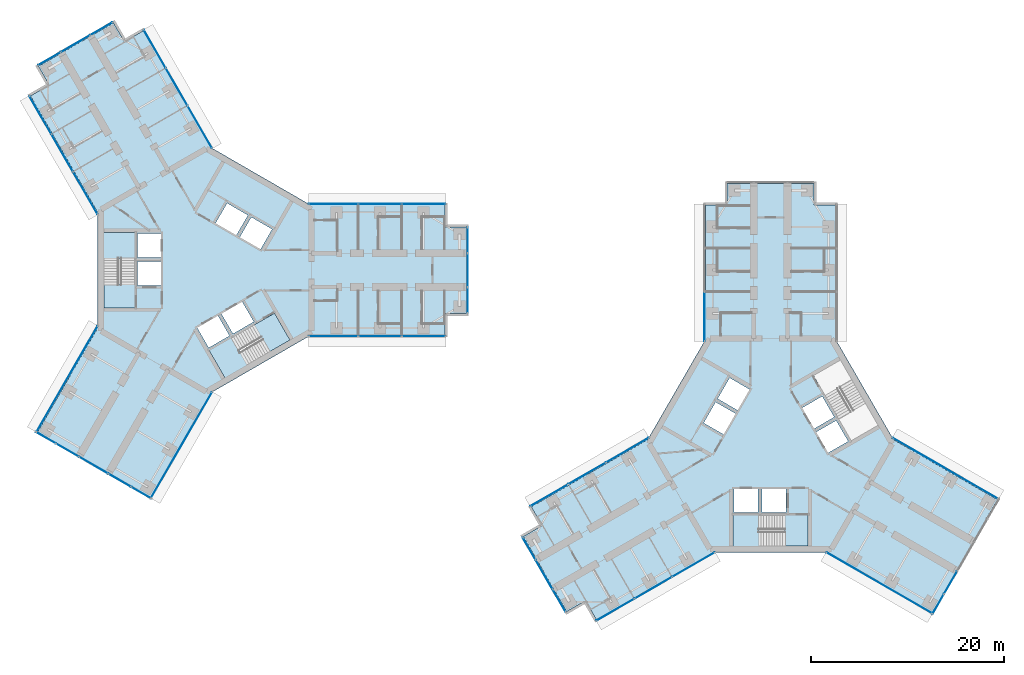
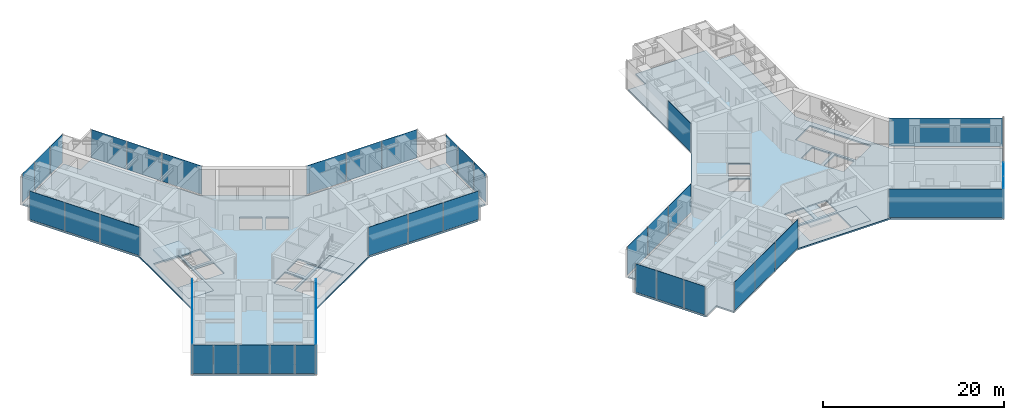
# One storey, part 13 of 23: 39 plates, 8 slabs, 19 elements without a shape of their own.
"""IFC4 building model written with IfcOpenShell, lengths in metres."""

import ifcopenshell
import ifcopenshell.guid

model = None  # the IFC model being written
_history = None  # IfcOwnerHistory: only IFC2X3 demands one
_inside = {}  # id of a spatial element -> (the spatial element, [elements in it])
_under = {}  # id of a project, library or spatial element -> (it, [spatial elements below it])
_declared = {}  # id of a project -> (the project, [libraries it declares])
_typed = {}  # id of a type object -> (the type object, [elements of that type])
_made_of = {}  # id of a material, layer set ... -> (it, [elements and type objects made of it])


def new_model(schema):
    """Start an empty IFC model of exactly this schema.

    Asked for "IFC4X3", IfcOpenShell would pick the latest addendum, in which some entities
    have other attributes; the version numbers below select the first issue.
    IFC2X3 requires an IfcOwnerHistory on every rooted entity: one is made here for all.
    """
    global model, _history
    if schema == "IFC4X3":
        model = ifcopenshell.file(schema_version=(4, 3, 0, 0))
    else:
        model = ifcopenshell.file(schema=schema)
    _inside.clear()
    _under.clear()
    _declared.clear()
    _typed.clear()
    _made_of.clear()
    _history = None
    if model.schema == "IFC2X3":
        org = make("IfcOrganization", Name="unknown")
        user = make(
            "IfcPersonAndOrganization",
            ThePerson=make("IfcPerson", FamilyName="unknown"),
            TheOrganization=org,
        )
        app = make(
            "IfcApplication",
            ApplicationDeveloper=org,
            Version="unknown",
            ApplicationFullName="unknown",
            ApplicationIdentifier="unknown",
        )
        _history = make(
            "IfcOwnerHistory",
            OwningUser=user,
            OwningApplication=app,
            ChangeAction="ADDED",
            CreationDate=0,
        )
    return model


def make(cls, **values):
    """One entity of the class cls with the attributes given. An attribute that is None is left unset."""
    return model.create_entity(
        cls, **{name: value for name, value in values.items() if value is not None}
    )


def rooted(cls, **values):
    """An entity with a GlobalId (a new one), such as an element, a storey or a relation."""
    return make(cls, GlobalId=ifcopenshell.guid.new(), OwnerHistory=_history, **values)


def si_unit(unit_type, name, prefix=None):
    """IfcSIUnit, for example si_unit("LENGTHUNIT", "METRE", prefix="MILLI")."""
    return make("IfcSIUnit", UnitType=unit_type, Prefix=prefix, Name=name)


def assignment(units):
    """IfcUnitAssignment: the units of a project."""
    return None if units is None else make("IfcUnitAssignment", Units=units)


def point(xyz):
    """IfcCartesianPoint."""
    return None if xyz is None else make("IfcCartesianPoint", Coordinates=xyz)


def direction(xyz):
    """IfcDirection."""
    return None if xyz is None else make("IfcDirection", DirectionRatios=xyz)


def frame(location, z_axis=None, x_axis=None):
    """IfcAxis2Placement3D, a coordinate frame: its origin and axes. An axis left out is left unset."""
    return make(
        "IfcAxis2Placement3D",
        Location=point(location),
        Axis=direction(z_axis),
        RefDirection=direction(x_axis),
    )


def frame_2d(location, x_axis=None):
    """IfcAxis2Placement2D, a coordinate frame in the plane: its origin and x axis."""
    return make(
        "IfcAxis2Placement2D", Location=point(location), RefDirection=direction(x_axis)
    )


def origin():
    """The frame at (0, 0, 0) with its axes left unset."""
    return frame((0.0, 0.0, 0.0))


def origin_2d():
    """The frame at (0, 0) in the plane with its x axis left unset."""
    return frame_2d((0.0, 0.0))


def place(relative_to, where):
    """IfcLocalPlacement: puts the frame where relative to a parent placement (None: the world)."""
    return make(
        "IfcLocalPlacement", PlacementRelTo=relative_to, RelativePlacement=where
    )


def context(
    kind, dimensions, precision=None, world=None, true_north=None, identifier=None
):
    """IfcGeometricRepresentationContext, for example the 3D "Model" context."""
    return make(
        "IfcGeometricRepresentationContext",
        ContextIdentifier=identifier,
        ContextType=kind,
        CoordinateSpaceDimension=dimensions,
        Precision=precision,
        WorldCoordinateSystem=world,
        TrueNorth=true_north,
    )


def subcontext(parent, identifier, kind, view, scale=None):
    """IfcGeometricRepresentationSubContext, for example "Body" below "Model"."""
    return make(
        "IfcGeometricRepresentationSubContext",
        ContextIdentifier=identifier,
        ContextType=kind,
        ParentContext=parent,
        TargetScale=scale,
        TargetView=view,
    )


def project(units=None, contexts=None):
    """IfcProject with its units and contexts."""
    return rooted(
        "IfcProject",
        Name="project",
        RepresentationContexts=contexts,
        UnitsInContext=assignment(units),
    )


def spatial(cls, under=None, at=None, **own):
    """A site, building, storey or space (cls), placed at a placement, below another one or the project."""
    s = rooted(cls, ObjectPlacement=at, **own)
    if under is not None:
        _under.setdefault(under.id(), (under, []))[1].append(s)
    return s


def polyline(points):
    """IfcPolyline through the points."""
    return make("IfcPolyline", Points=[point(p) for p in points])


def profile(cls, at=None, kind="AREA", **sizes):
    """A parametric profile (cls). Its sizes go by their IFC names, for example OverallWidth=200.0."""
    return make(cls, ProfileType=kind, Position=at, **sizes)


def rectangle(**sizes):
    """IfcRectangleProfileDef."""
    return profile("IfcRectangleProfileDef", **sizes)


def outline(outer, holes=None, kind="AREA"):
    """IfcArbitraryClosedProfileDef: a profile drawn as a closed curve; with holes, ...WithVoids."""
    if holes is None:
        return make("IfcArbitraryClosedProfileDef", ProfileType=kind, OuterCurve=outer)
    return make(
        "IfcArbitraryProfileDefWithVoids",
        ProfileType=kind,
        OuterCurve=outer,
        InnerCurves=holes,
    )


def extrude(swept, where, along, depth):
    """IfcExtrudedAreaSolid: the profile swept, set in the frame where, extruded along a direction by depth."""
    return make(
        "IfcExtrudedAreaSolid",
        SweptArea=swept,
        Position=where,
        ExtrudedDirection=direction(along),
        Depth=depth,
    )


def shape(context_of_items, identifier, shape_type, items):
    """IfcShapeRepresentation: the items that make up one representation, for example the "Body"."""
    return make(
        "IfcShapeRepresentation",
        ContextOfItems=context_of_items,
        RepresentationIdentifier=identifier,
        RepresentationType=shape_type,
        Items=items,
    )


def material(Name=None, Category=None):
    """IfcMaterial."""
    return make("IfcMaterial", Name=Name, Category=Category)


def layer(
    of_material, thickness, ventilated=None, Name=None, Category=None, Priority=None
):
    """IfcMaterialLayer: one layer of a wall or slab, of a material (None: an air gap)."""
    return make(
        "IfcMaterialLayer",
        Material=of_material,
        LayerThickness=thickness,
        IsVentilated=ventilated,
        Name=Name,
        Category=Category,
        Priority=Priority,
    )


def layer_set(layers, Name=None):
    """IfcMaterialLayerSet."""
    return make("IfcMaterialLayerSet", MaterialLayers=layers, LayerSetName=Name)


def made_of(thing, what):
    """Note that an element or type object is made of a material, layer set ...; save() writes the relation."""
    if what is not None:
        _made_of.setdefault(what.id(), (what, []))[1].append(thing)
    return thing


def type_object(cls, material=None, **own):
    """A type object (cls), such as IfcWallType, which elements share."""
    return made_of(rooted(cls, **own), material)


def element(
    cls,
    number,
    at=None,
    inside=None,
    cuts=None,
    type_object=None,
    material=None,
    context=None,
    identifier="Body",
    shape_type=None,
    held_by="IfcProductDefinitionShape",
    body=None,
    shapes=None,
    **own,
):
    """One element of the class cls, such as IfcWall. Its Tag is "e" and its number.

    at: its placement. inside: the storey or other place that contains it. cuts: it is an
    opening in that element (IfcRelVoidsElement). A single representation is given by context,
    identifier, shape_type and body (its items); several are given by shapes. held_by: the class
    of the entity that holds the representations. save() writes the other relations.
    """
    e = rooted(cls, Tag="e%d" % number, ObjectPlacement=at, **own)
    if body is not None:
        shapes = [shape(context, identifier, shape_type, body)]
    if shapes is not None:
        e.Representation = make(held_by, Representations=shapes)
    if inside is not None:
        _inside.setdefault(inside.id(), (inside, []))[1].append(e)
    if cuts is not None:
        rooted(
            "IfcRelVoidsElement", RelatingBuildingElement=cuts, RelatedOpeningElement=e
        )
    if type_object is not None:
        _typed.setdefault(type_object.id(), (type_object, []))[1].append(e)
    return made_of(e, material)


def aggregate(whole, parts):
    """IfcRelAggregates: a whole, such as a stair, and the parts it consists of."""
    return rooted("IfcRelAggregates", RelatingObject=whole, RelatedObjects=parts)


def save(model, path):
    """Write the relations noted so far, then the file.

    IfcRelAggregates (storeys below a building ...), IfcRelContainedInSpatialStructure (elements
    in a storey), IfcRelDefinesByType, IfcRelAssociatesMaterial and IfcRelDeclares: one each for
    every whole, place, type object, material and project.
    """
    for whole, parts in _under.values():
        aggregate(whole, parts)
    for where, things in _inside.values():
        rooted(
            "IfcRelContainedInSpatialStructure",
            RelatedElements=things,
            RelatingStructure=where,
        )
    for kind, things in _typed.values():
        rooted("IfcRelDefinesByType", RelatedObjects=things, RelatingType=kind)
    for what, things in _made_of.values():
        rooted("IfcRelAssociatesMaterial", RelatedObjects=things, RelatingMaterial=what)
    for by, libraries in _declared.values():
        rooted("IfcRelDeclares", RelatingContext=by, RelatedDefinitions=libraries)
    model.write(path)


model = new_model("IFC4")

# Units and contexts
model_context = context("Model", 3, precision=1e-05, world=origin(), true_north=direction((0.0, 1.0)))
body_context = subcontext(model_context, "Body", "Model", "MODEL_VIEW")
ifc_project = project(units=[si_unit("LENGTHUNIT", "METRE"), si_unit("AREAUNIT", "SQUARE_METRE"), si_unit("VOLUMEUNIT", "CUBIC_METRE"), si_unit("PLANEANGLEUNIT", "RADIAN"), si_unit("MASSUNIT", "GRAM", prefix="KILO")], contexts=[model_context])

# Site, building, storey
site_placement = place(None, origin())
site = spatial("IfcSite", under=ifc_project, at=site_placement, CompositionType="ELEMENT")
building_placement = place(site_placement, origin())
building = spatial("IfcBuilding", under=site, at=building_placement, Name="Upepo Twin Towers", CompositionType="ELEMENT")
storey_placement = place(building_placement, frame((0.0, 0.0, 157.5)))
storey = spatial("IfcBuildingStorey", under=building, at=storey_placement, Name="L38", CompositionType="ELEMENT", Elevation=157.5)

# Curtain wall, plates
ifc_material_1 = material(Name="Aluminium and fritted glass", Category="aluminium")
curtain_wall_type = type_object("IfcCurtainWallType", Name="Tower curtain wall TW2, fritted glass", PredefinedType="NOTDEFINED", material=ifc_material_1)
curtain_wall_1_placement = place(storey_placement, origin())
curtain_wall_1 = element("IfcCurtainWall", 1, at=curtain_wall_1_placement, inside=storey, type_object=curtain_wall_type, Name="T1 L38 wing A flank L curtain wall", PredefinedType="NOTDEFINED")
ifc_material_2 = material(Name="Ceramic-fritted laminated glass", Category="glass")
ifc_layer_1 = layer(ifc_material_2, 0.031982421875)
ifc_layer_set_1 = layer_set([ifc_layer_1], Name="Fritted glass panel, 45 per cent dot frit, 32 mm double glazed")
plate_type_1 = type_object("IfcPlateType", Name="Fritted glass panel, 45 per cent dot frit, 32 mm double glazed", PredefinedType="CURTAIN_PANEL", material=ifc_layer_set_1)
plate_1_placement = place(storey_placement, frame((13.184814453125, 6.85009765625, 0.14990234375), z_axis=(0.0, 0.0, 1.0), x_axis=(1.0, 0.0, 0.0)))
plate_1 = element("IfcPlate", 2, at=plate_1_placement, type_object=plate_type_1, Name="T1 L38 wing A flank L curtain wall panel 1", PredefinedType="CURTAIN_PANEL", context=body_context, shape_type="SweptSolid", body=[
    extrude(rectangle(XDim=5.0654296875, YDim=0.031982421875, at=origin_2d()), origin(), (0.0, 0.0, 1.0), 3.85009765625),
])
plate_2_placement = place(storey_placement, frame((18.0, 6.85009765625, 0.14990234375), z_axis=(0.0, 0.0, 1.0), x_axis=(1.0, 0.0, 0.0)))
plate_2 = element("IfcPlate", 3, at=plate_2_placement, type_object=plate_type_1, Name="T1 L38 wing A flank L curtain wall panel 2", PredefinedType="CURTAIN_PANEL", context=body_context, shape_type="SweptSolid", body=[
    extrude(rectangle(XDim=4.43505859375, YDim=0.031982421875, at=origin_2d()), origin(), (0.0, 0.0, 1.0), 3.85009765625),
])
plate_3_placement = place(storey_placement, frame((22.53369140625, 6.85009765625, 0.14990234375), z_axis=(0.0, 0.0, 1.0), x_axis=(1.0, 0.0, 0.0)))
plate_3 = element("IfcPlate", 4, at=plate_3_placement, type_object=plate_type_1, Name="T1 L38 wing A flank L curtain wall panel 3", PredefinedType="CURTAIN_PANEL", context=body_context, shape_type="SweptSolid", body=[
    extrude(rectangle(XDim=4.50244140625, YDim=0.031982421875, at=origin_2d()), origin(), (0.0, 0.0, 1.0), 3.85009765625),
])
aggregate(curtain_wall_1, [plate_1, plate_2, plate_3])

curtain_wall_2_placement = place(storey_placement, origin())
curtain_wall_2 = element("IfcCurtainWall", 5, at=curtain_wall_2_placement, inside=storey, type_object=curtain_wall_type, Name="T1 L38 wing A flank R curtain wall", PredefinedType="NOTDEFINED")
plate_4_placement = place(storey_placement, frame((22.53369140625, -6.85009765625, 0.14990234375), z_axis=(0.0, 0.0, 1.0), x_axis=(-1.0, 0.0, 0.0)))
plate_4 = element("IfcPlate", 6, at=plate_4_placement, type_object=plate_type_1, Name="T1 L38 wing A flank R curtain wall panel 1", PredefinedType="CURTAIN_PANEL", context=body_context, shape_type="SweptSolid", body=[
    extrude(rectangle(XDim=4.50244140625, YDim=0.031982421875, at=origin_2d()), origin(), (0.0, 0.0, 1.0), 3.85009765625),
])
plate_5_placement = place(storey_placement, frame((18.0, -6.85009765625, 0.14990234375), z_axis=(0.0, 0.0, 1.0), x_axis=(-1.0, 0.0, 0.0)))
plate_5 = element("IfcPlate", 7, at=plate_5_placement, type_object=plate_type_1, Name="T1 L38 wing A flank R curtain wall panel 2", PredefinedType="CURTAIN_PANEL", context=body_context, shape_type="SweptSolid", body=[
    extrude(rectangle(XDim=4.43505859375, YDim=0.031982421875, at=origin_2d()), origin(), (0.0, 0.0, 1.0), 3.85009765625),
])
plate_6_placement = place(storey_placement, frame((13.184814453125, -6.85009765625, 0.14990234375), z_axis=(0.0, 0.0, 1.0), x_axis=(-1.0, 0.0, 0.0)))
plate_6 = element("IfcPlate", 8, at=plate_6_placement, type_object=plate_type_1, Name="T1 L38 wing A flank R curtain wall panel 3", PredefinedType="CURTAIN_PANEL", context=body_context, shape_type="SweptSolid", body=[
    extrude(rectangle(XDim=5.0654296875, YDim=0.031982421875, at=origin_2d()), origin(), (0.0, 0.0, 1.0), 3.85009765625),
])
aggregate(curtain_wall_2, [plate_4, plate_5, plate_6])

# Curtain wall, plate
curtain_wall_3_placement = place(storey_placement, origin())
curtain_wall_3 = element("IfcCurtainWall", 9, at=curtain_wall_3_placement, inside=storey, type_object=curtain_wall_type, Name="T1 L38 wing A nose curtain wall", PredefinedType="NOTDEFINED")
plate_7_placement = place(storey_placement, frame((27.10009765625, 0.0, 0.14990234375), z_axis=(0.0, 0.0, 1.0), x_axis=(0.0, 1.0, 0.0)))
plate_7 = element("IfcPlate", 10, at=plate_7_placement, type_object=plate_type_1, Name="T1 L38 wing A nose curtain wall panel 2", PredefinedType="CURTAIN_PANEL", context=body_context, shape_type="SweptSolid", body=[
    extrude(rectangle(XDim=3.43505859375, YDim=0.031982421875, at=origin_2d()), origin(), (0.0, 0.0, 1.0), 3.85009765625),
])

# Curtain wall, plates
curtain_wall_4_placement = place(storey_placement, origin())
curtain_wall_4 = element("IfcCurtainWall", 11, at=curtain_wall_4_placement, inside=storey, type_object=curtain_wall_type, Name="T1 L38 wing B flank L curtain wall", PredefinedType="NOTDEFINED")
plate_8_placement = place(storey_placement, frame((-12.524658203125, 7.993408203125, 0.14990234375), z_axis=(0.0, 0.0, 1.0), x_axis=(-0.500000010308, 0.866025397833, 0.0)))
plate_8 = element("IfcPlate", 12, at=plate_8_placement, type_object=plate_type_1, Name="T1 L38 wing B flank L curtain wall panel 1", PredefinedType="CURTAIN_PANEL", context=body_context, shape_type="SweptSolid", body=[
    extrude(rectangle(XDim=5.0654296875, YDim=0.031982421875, at=origin_2d()), origin(), (0.0, 0.0, 1.0), 3.85009765625),
])
plate_9_placement = place(storey_placement, frame((-14.932373046875, 12.16357421875, 0.14990234375), z_axis=(0.0, 0.0, 1.0), x_axis=(-0.500000010308, 0.866025397833, 0.0)))
plate_9 = element("IfcPlate", 13, at=plate_9_placement, type_object=plate_type_1, Name="T1 L38 wing B flank L curtain wall panel 2", PredefinedType="CURTAIN_PANEL", context=body_context, shape_type="SweptSolid", body=[
    extrude(rectangle(XDim=4.43505859375, YDim=0.031982421875, at=origin_2d()), origin(), (0.0, 0.0, 1.0), 3.85009765625),
])
plate_10_placement = place(storey_placement, frame((-17.19921875, 16.08984375, 0.14990234375), z_axis=(0.0, 0.0, 1.0), x_axis=(-0.500000010308, 0.866025397833, 0.0)))
plate_10 = element("IfcPlate", 14, at=plate_10_placement, type_object=plate_type_1, Name="T1 L38 wing B flank L curtain wall panel 3", PredefinedType="CURTAIN_PANEL", context=body_context, shape_type="SweptSolid", body=[
    extrude(rectangle(XDim=4.50244140625, YDim=0.031982421875, at=origin_2d()), origin(), (0.0, 0.0, 1.0), 3.85009765625),
])
aggregate(curtain_wall_4, [plate_8, plate_9, plate_10])

curtain_wall_5_placement = place(storey_placement, origin())
curtain_wall_5 = element("IfcCurtainWall", 15, at=curtain_wall_5_placement, inside=storey, type_object=curtain_wall_type, Name="T1 L38 wing B flank R curtain wall", PredefinedType="NOTDEFINED")
plate_11_placement = place(storey_placement, frame((-5.334716796875, 22.939697265625, 0.14990234375), z_axis=(0.0, 0.0, 1.0), x_axis=(0.500000010308, -0.866025397833, 0.0)))
plate_11 = element("IfcPlate", 16, at=plate_11_placement, type_object=plate_type_1, Name="T1 L38 wing B flank R curtain wall panel 1", PredefinedType="CURTAIN_PANEL", context=body_context, shape_type="SweptSolid", body=[
    extrude(rectangle(XDim=4.50244140625, YDim=0.031982421875, at=origin_2d()), origin(), (0.0, 0.0, 1.0), 3.85009765625),
])
plate_12_placement = place(storey_placement, frame((-3.067626953125, 19.013427734375, 0.14990234375), z_axis=(0.0, 0.0, 1.0), x_axis=(0.500000010308, -0.866025397833, 0.0)))
plate_12 = element("IfcPlate", 17, at=plate_12_placement, type_object=plate_type_1, Name="T1 L38 wing B flank R curtain wall panel 2", PredefinedType="CURTAIN_PANEL", context=body_context, shape_type="SweptSolid", body=[
    extrude(rectangle(XDim=4.43505859375, YDim=0.031982421875, at=origin_2d()), origin(), (0.0, 0.0, 1.0), 3.85009765625),
])
plate_13_placement = place(storey_placement, frame((-0.66015625, 14.84326171875, 0.14990234375), z_axis=(0.0, 0.0, 1.0), x_axis=(0.500000010308, -0.866025397833, 0.0)))
plate_13 = element("IfcPlate", 18, at=plate_13_placement, type_object=plate_type_1, Name="T1 L38 wing B flank R curtain wall panel 3", PredefinedType="CURTAIN_PANEL", context=body_context, shape_type="SweptSolid", body=[
    extrude(rectangle(XDim=5.0654296875, YDim=0.031982421875, at=origin_2d()), origin(), (0.0, 0.0, 1.0), 3.85009765625),
])
aggregate(curtain_wall_5, [plate_11, plate_12, plate_13])

# Curtain wall, plate
curtain_wall_6_placement = place(storey_placement, origin())
curtain_wall_6 = element("IfcCurtainWall", 19, at=curtain_wall_6_placement, inside=storey, type_object=curtain_wall_type, Name="T1 L38 wing B nose curtain wall", PredefinedType="NOTDEFINED")
plate_14_placement = place(storey_placement, frame((-13.550048828125, 23.46923828125, 0.14990234375), z_axis=(0.0, 0.0, 1.0), x_axis=(-0.866025386174, -0.500000030502, 0.0)))
plate_14 = element("IfcPlate", 20, at=plate_14_placement, type_object=plate_type_1, Name="T1 L38 wing B nose curtain wall panel 2", PredefinedType="CURTAIN_PANEL", context=body_context, shape_type="SweptSolid", body=[
    extrude(rectangle(XDim=3.43505859375, YDim=0.031982421875, at=origin_2d()), origin(), (0.0, 0.0, 1.0), 3.85009765625),
])

curtain_wall_7_placement = place(storey_placement, origin())
curtain_wall_7 = element("IfcCurtainWall", 21, at=curtain_wall_7_placement, inside=storey, type_object=curtain_wall_type, Name="T1 L38 wing C flank L curtain wall", PredefinedType="NOTDEFINED")
plate_15_placement = place(storey_placement, frame((-2.552001953125, -18.1201171875, 0.14990234375), z_axis=(0.0, 0.0, 1.0), x_axis=(-0.50000000792, -0.866025399212, 0.0)))
plate_15 = element("IfcPlate", 22, at=plate_15_placement, type_object=plate_type_1, Name="T1 L38 wing C flank L curtain wall panel 1", PredefinedType="CURTAIN_PANEL", context=body_context, shape_type="SweptSolid", body=[
    extrude(rectangle(XDim=12.6328125, YDim=0.031982421875, at=origin_2d()), origin(), (0.0, 0.0, 1.0), 3.85009765625),
])
aggregate(curtain_wall_7, [plate_15])

curtain_wall_8_placement = place(storey_placement, origin())
curtain_wall_8 = element("IfcCurtainWall", 23, at=curtain_wall_8_placement, inside=storey, type_object=curtain_wall_type, Name="T1 L38 wing C flank R curtain wall", PredefinedType="NOTDEFINED")
plate_16_placement = place(storey_placement, frame((-14.41650390625, -11.270263671875, 0.14990234375), z_axis=(0.0, 0.0, 1.0), x_axis=(0.50000000792, 0.866025399212, 0.0)))
plate_16 = element("IfcPlate", 24, at=plate_16_placement, type_object=plate_type_1, Name="T1 L38 wing C flank R curtain wall panel 1", PredefinedType="CURTAIN_PANEL", context=body_context, shape_type="SweptSolid", body=[
    extrude(rectangle(XDim=12.6328125, YDim=0.031982421875, at=origin_2d()), origin(), (0.0, 0.0, 1.0), 3.85009765625),
])
aggregate(curtain_wall_8, [plate_16])

# Curtain wall, plates
curtain_wall_9_placement = place(storey_placement, origin())
curtain_wall_9 = element("IfcCurtainWall", 25, at=curtain_wall_9_placement, inside=storey, type_object=curtain_wall_type, Name="T1 L38 wing C nose curtain wall", PredefinedType="NOTDEFINED")
plate_17_placement = place(storey_placement, frame((-14.38134765625, -18.6591796875, 0.14990234375), z_axis=(0.0, 0.0, 1.0), x_axis=(0.866025419745, -0.499999972355, 0.0)))
plate_17 = element("IfcPlate", 26, at=plate_17_placement, type_object=plate_type_1, Name="T1 L38 wing C nose curtain wall panel 2", PredefinedType="CURTAIN_PANEL", context=body_context, shape_type="SweptSolid", body=[
    extrude(rectangle(XDim=2.68505859375, YDim=0.031982421875, at=origin_2d()), origin(), (0.0, 0.0, 1.0), 3.85009765625),
])
plate_18_placement = place(storey_placement, frame((-11.675048828125, -20.2216796875, 0.14990234375), z_axis=(0.0, 0.0, 1.0), x_axis=(0.866025419745, -0.499999972355, 0.0)))
plate_18 = element("IfcPlate", 27, at=plate_18_placement, type_object=plate_type_1, Name="T1 L38 wing C nose curtain wall panel 3", PredefinedType="CURTAIN_PANEL", context=body_context, shape_type="SweptSolid", body=[
    extrude(rectangle(XDim=3.43505859375, YDim=0.031982421875, at=origin_2d()), origin(), (0.0, 0.0, 1.0), 3.85009765625),
])
plate_19_placement = place(storey_placement, frame((-8.96875, -21.7841796875, 0.14990234375), z_axis=(0.0, 0.0, 1.0), x_axis=(0.866025419745, -0.499999972355, 0.0)))
plate_19 = element("IfcPlate", 28, at=plate_19_placement, type_object=plate_type_1, Name="T1 L38 wing C nose curtain wall panel 4", PredefinedType="CURTAIN_PANEL", context=body_context, shape_type="SweptSolid", body=[
    extrude(rectangle(XDim=2.68505859375, YDim=0.031982421875, at=origin_2d()), origin(), (0.0, 0.0, 1.0), 3.85009765625),
])

# Curtain wall, plate
curtain_wall_10_placement = place(storey_placement, origin())
curtain_wall_10 = element("IfcCurtainWall", 29, at=curtain_wall_10_placement, inside=storey, type_object=curtain_wall_type, Name="T2 L38 wing A flank L curtain wall", PredefinedType="NOTDEFINED")
plate_20_placement = place(storey_placement, frame((51.64990234375, -4.815185546875, 0.14990234375), z_axis=(0.0, 0.0, 1.0), x_axis=(0.0, 1.0, 0.0)))
plate_20 = element("IfcPlate", 30, at=plate_20_placement, type_object=plate_type_1, Name="T2 L38 wing A flank L curtain wall panel 1", PredefinedType="CURTAIN_PANEL", context=body_context, shape_type="SweptSolid", body=[
    extrude(rectangle(XDim=5.0654296875, YDim=0.031982421875, at=origin_2d()), origin(), (0.0, 0.0, 1.0), 3.85009765625),
])
aggregate(curtain_wall_10, [plate_20])

# Curtain wall, plates
curtain_wall_11_placement = place(storey_placement, origin())
curtain_wall_11 = element("IfcCurtainWall", 31, at=curtain_wall_11_placement, inside=storey, type_object=curtain_wall_type, Name="T2 L38 wing B flank L curtain wall", PredefinedType="NOTDEFINED")
plate_21_placement = place(storey_placement, frame((50.506591796875, -30.524658203125, 0.14990234375), z_axis=(0.0, 0.0, 1.0), x_axis=(-0.866025397833, -0.500000010308, 0.0)))
plate_21 = element("IfcPlate", 32, at=plate_21_placement, type_object=plate_type_1, Name="T2 L38 wing B flank L curtain wall panel 1", PredefinedType="CURTAIN_PANEL", context=body_context, shape_type="SweptSolid", body=[
    extrude(rectangle(XDim=5.0654296875, YDim=0.031982421875, at=origin_2d()), origin(), (0.0, 0.0, 1.0), 3.85009765625),
])
plate_22_placement = place(storey_placement, frame((46.33642578125, -32.932373046875, 0.14990234375), z_axis=(0.0, 0.0, 1.0), x_axis=(-0.866025397833, -0.500000010308, 0.0)))
plate_22 = element("IfcPlate", 33, at=plate_22_placement, type_object=plate_type_1, Name="T2 L38 wing B flank L curtain wall panel 2", PredefinedType="CURTAIN_PANEL", context=body_context, shape_type="SweptSolid", body=[
    extrude(rectangle(XDim=4.43505859375, YDim=0.031982421875, at=origin_2d()), origin(), (0.0, 0.0, 1.0), 3.85009765625),
])
plate_23_placement = place(storey_placement, frame((42.41015625, -35.19921875, 0.14990234375), z_axis=(0.0, 0.0, 1.0), x_axis=(-0.866025397833, -0.500000010308, 0.0)))
plate_23 = element("IfcPlate", 34, at=plate_23_placement, type_object=plate_type_1, Name="T2 L38 wing B flank L curtain wall panel 3", PredefinedType="CURTAIN_PANEL", context=body_context, shape_type="SweptSolid", body=[
    extrude(rectangle(XDim=4.50244140625, YDim=0.031982421875, at=origin_2d()), origin(), (0.0, 0.0, 1.0), 3.85009765625),
])
aggregate(curtain_wall_11, [plate_21, plate_22, plate_23])

curtain_wall_12_placement = place(storey_placement, origin())
curtain_wall_12 = element("IfcCurtainWall", 35, at=curtain_wall_12_placement, inside=storey, type_object=curtain_wall_type, Name="T2 L38 wing B flank R curtain wall", PredefinedType="NOTDEFINED")
plate_24_placement = place(storey_placement, frame((35.560302734375, -23.334716796875, 0.14990234375), z_axis=(0.0, 0.0, 1.0), x_axis=(0.866025397833, 0.500000010308, 0.0)))
plate_24 = element("IfcPlate", 36, at=plate_24_placement, type_object=plate_type_1, Name="T2 L38 wing B flank R curtain wall panel 1", PredefinedType="CURTAIN_PANEL", context=body_context, shape_type="SweptSolid", body=[
    extrude(rectangle(XDim=4.50244140625, YDim=0.031982421875, at=origin_2d()), origin(), (0.0, 0.0, 1.0), 3.85009765625),
])
plate_25_placement = place(storey_placement, frame((39.486572265625, -21.067626953125, 0.14990234375), z_axis=(0.0, 0.0, 1.0), x_axis=(0.866025397833, 0.500000010308, 0.0)))
plate_25 = element("IfcPlate", 37, at=plate_25_placement, type_object=plate_type_1, Name="T2 L38 wing B flank R curtain wall panel 2", PredefinedType="CURTAIN_PANEL", context=body_context, shape_type="SweptSolid", body=[
    extrude(rectangle(XDim=4.43505859375, YDim=0.031982421875, at=origin_2d()), origin(), (0.0, 0.0, 1.0), 3.85009765625),
])
plate_26_placement = place(storey_placement, frame((43.65673828125, -18.66015625, 0.14990234375), z_axis=(0.0, 0.0, 1.0), x_axis=(0.866025397833, 0.500000010308, 0.0)))
plate_26 = element("IfcPlate", 38, at=plate_26_placement, type_object=plate_type_1, Name="T2 L38 wing B flank R curtain wall panel 3", PredefinedType="CURTAIN_PANEL", context=body_context, shape_type="SweptSolid", body=[
    extrude(rectangle(XDim=5.0654296875, YDim=0.031982421875, at=origin_2d()), origin(), (0.0, 0.0, 1.0), 3.85009765625),
])
aggregate(curtain_wall_12, [plate_24, plate_25, plate_26])

# Curtain wall, plate
curtain_wall_13_placement = place(storey_placement, origin())
curtain_wall_13 = element("IfcCurtainWall", 39, at=curtain_wall_13_placement, inside=storey, type_object=curtain_wall_type, Name="T2 L38 wing B nose curtain wall", PredefinedType="NOTDEFINED")
plate_27_placement = place(storey_placement, frame((35.03076171875, -31.550048828125, 0.14990234375), z_axis=(0.0, 0.0, 1.0), x_axis=(0.500000030502, -0.866025386174, 0.0)))
plate_27 = element("IfcPlate", 40, at=plate_27_placement, type_object=plate_type_1, Name="T2 L38 wing B nose curtain wall panel 2", PredefinedType="CURTAIN_PANEL", context=body_context, shape_type="SweptSolid", body=[
    extrude(rectangle(XDim=3.43505859375, YDim=0.031982421875, at=origin_2d()), origin(), (0.0, 0.0, 1.0), 3.85009765625),
])

curtain_wall_14_placement = place(storey_placement, origin())
curtain_wall_14 = element("IfcCurtainWall", 41, at=curtain_wall_14_placement, inside=storey, type_object=curtain_wall_type, Name="T2 L38 wing C flank L curtain wall", PredefinedType="NOTDEFINED")
plate_28_placement = place(storey_placement, frame((76.6201171875, -20.552001953125, 0.14990234375), z_axis=(0.0, 0.0, 1.0), x_axis=(0.866025399212, -0.50000000792, 0.0)))
plate_28 = element("IfcPlate", 42, at=plate_28_placement, type_object=plate_type_1, Name="T2 L38 wing C flank L curtain wall panel 1", PredefinedType="CURTAIN_PANEL", context=body_context, shape_type="SweptSolid", body=[
    extrude(rectangle(XDim=12.6328125, YDim=0.031982421875, at=origin_2d()), origin(), (0.0, 0.0, 1.0), 3.85009765625),
])
aggregate(curtain_wall_14, [plate_28])

curtain_wall_15_placement = place(storey_placement, origin())
curtain_wall_15 = element("IfcCurtainWall", 43, at=curtain_wall_15_placement, inside=storey, type_object=curtain_wall_type, Name="T2 L38 wing C flank R curtain wall", PredefinedType="NOTDEFINED")
plate_29_placement = place(storey_placement, frame((69.770263671875, -32.41650390625, 0.14990234375), z_axis=(0.0, 0.0, 1.0), x_axis=(-0.866025399212, 0.50000000792, 0.0)))
plate_29 = element("IfcPlate", 44, at=plate_29_placement, type_object=plate_type_1, Name="T2 L38 wing C flank R curtain wall panel 1", PredefinedType="CURTAIN_PANEL", context=body_context, shape_type="SweptSolid", body=[
    extrude(rectangle(XDim=12.6328125, YDim=0.031982421875, at=origin_2d()), origin(), (0.0, 0.0, 1.0), 3.85009765625),
])
aggregate(curtain_wall_15, [plate_29])

curtain_wall_16_placement = place(storey_placement, origin())
curtain_wall_16 = element("IfcCurtainWall", 45, at=curtain_wall_16_placement, inside=storey, type_object=curtain_wall_type, Name="T2 L38 wing C nose curtain wall", PredefinedType="NOTDEFINED")
plate_30_placement = place(storey_placement, frame((77.1591796875, -32.38134765625, 0.14990234375), z_axis=(0.0, 0.0, 1.0), x_axis=(0.499999972355, 0.866025419745, 0.0)))
plate_30 = element("IfcPlate", 46, at=plate_30_placement, type_object=plate_type_1, Name="T2 L38 wing C nose curtain wall panel 2", PredefinedType="CURTAIN_PANEL", context=body_context, shape_type="SweptSolid", body=[
    extrude(rectangle(XDim=2.68505859375, YDim=0.031982421875, at=origin_2d()), origin(), (0.0, 0.0, 1.0), 3.85009765625),
])

# Plate
ifc_material_3 = material(Name="Clear laminated glass in opening sash", Category="glass")
ifc_layer_2 = layer(ifc_material_3, 0.031982421875)
ifc_layer_set_2 = layer_set([ifc_layer_2], Name="Operable glass panel, 32 mm double glazed")
plate_type_2 = type_object("IfcPlateType", Name="Operable glass panel, 32 mm double glazed", PredefinedType="CURTAIN_PANEL", material=ifc_layer_set_2)
plate_31_placement = place(storey_placement, frame((27.10009765625, -3.108642578125, 0.14990234375), z_axis=(0.0, 0.0, 1.0), x_axis=(0.0, 1.0, 0.0)))
plate_31 = element("IfcPlate", 47, at=plate_31_placement, type_object=plate_type_2, Name="T1 L38 wing A nose curtain wall panel 1", PredefinedType="CURTAIN_PANEL", context=body_context, shape_type="SweptSolid", body=[
    extrude(rectangle(XDim=2.652587890625, YDim=0.031982421875, at=origin_2d()), origin(), (0.0, 0.0, 1.0), 3.85009765625),
])

plate_32_placement = place(storey_placement, frame((27.10009765625, 3.108642578125, 0.14990234375), z_axis=(0.0, 0.0, 1.0), x_axis=(0.0, 1.0, 0.0)))
plate_32 = element("IfcPlate", 48, at=plate_32_placement, type_object=plate_type_2, Name="T1 L38 wing A nose curtain wall panel 3", PredefinedType="CURTAIN_PANEL", context=body_context, shape_type="SweptSolid", body=[
    extrude(rectangle(XDim=2.652587890625, YDim=0.031982421875, at=origin_2d()), origin(), (0.0, 0.0, 1.0), 3.85009765625),
])

aggregate(curtain_wall_3, [plate_31, plate_7, plate_32])

plate_33_placement = place(storey_placement, frame((-10.857666015625, 25.023681640625, 0.14990234375), z_axis=(0.0, 0.0, 1.0), x_axis=(-0.866025386174, -0.500000030502, 0.0)))
plate_33 = element("IfcPlate", 49, at=plate_33_placement, type_object=plate_type_2, Name="T1 L38 wing B nose curtain wall panel 1", PredefinedType="CURTAIN_PANEL", context=body_context, shape_type="SweptSolid", body=[
    extrude(rectangle(XDim=2.652587890625, YDim=0.031982421875, at=origin_2d()), origin(), (0.0, 0.0, 1.0), 3.85009765625),
])

plate_34_placement = place(storey_placement, frame((-16.2421875, 21.914794921875, 0.14990234375), z_axis=(0.0, 0.0, 1.0), x_axis=(-0.866025386174, -0.500000030502, 0.0)))
plate_34 = element("IfcPlate", 50, at=plate_34_placement, type_object=plate_type_2, Name="T1 L38 wing B nose curtain wall panel 3", PredefinedType="CURTAIN_PANEL", context=body_context, shape_type="SweptSolid", body=[
    extrude(rectangle(XDim=2.652587890625, YDim=0.031982421875, at=origin_2d()), origin(), (0.0, 0.0, 1.0), 3.85009765625),
])

aggregate(curtain_wall_6, [plate_33, plate_14, plate_34])

plate_35_placement = place(storey_placement, frame((-16.618896484375, -17.367431640625, 0.14990234375), z_axis=(0.0, 0.0, 1.0), x_axis=(0.866025419745, -0.499999972355, 0.0)))
plate_35 = element("IfcPlate", 51, at=plate_35_placement, type_object=plate_type_2, Name="T1 L38 wing C nose curtain wall panel 1", PredefinedType="CURTAIN_PANEL", context=body_context, shape_type="SweptSolid", body=[
    extrude(rectangle(XDim=2.3525390625, YDim=0.031982421875, at=origin_2d()), origin(), (0.0, 0.0, 1.0), 3.85009765625),
])

plate_36_placement = place(storey_placement, frame((-6.73095703125, -23.076171875, 0.14990234375), z_axis=(0.0, 0.0, 1.0), x_axis=(0.866025419745, -0.499999972355, 0.0)))
plate_36 = element("IfcPlate", 52, at=plate_36_placement, type_object=plate_type_2, Name="T1 L38 wing C nose curtain wall panel 5", PredefinedType="CURTAIN_PANEL", context=body_context, shape_type="SweptSolid", body=[
    extrude(rectangle(XDim=2.3525390625, YDim=0.031982421875, at=origin_2d()), origin(), (0.0, 0.0, 1.0), 3.85009765625),
])

aggregate(curtain_wall_9, [plate_35, plate_17, plate_18, plate_19, plate_36])

plate_37_placement = place(storey_placement, frame((33.476318359375, -28.857666015625, 0.14990234375), z_axis=(0.0, 0.0, 1.0), x_axis=(0.500000030502, -0.866025386174, 0.0)))
plate_37 = element("IfcPlate", 53, at=plate_37_placement, type_object=plate_type_2, Name="T2 L38 wing B nose curtain wall panel 1", PredefinedType="CURTAIN_PANEL", context=body_context, shape_type="SweptSolid", body=[
    extrude(rectangle(XDim=2.652587890625, YDim=0.031982421875, at=origin_2d()), origin(), (0.0, 0.0, 1.0), 3.85009765625),
])

plate_38_placement = place(storey_placement, frame((36.585205078125, -34.2421875, 0.14990234375), z_axis=(0.0, 0.0, 1.0), x_axis=(0.500000030502, -0.866025386174, 0.0)))
plate_38 = element("IfcPlate", 54, at=plate_38_placement, type_object=plate_type_2, Name="T2 L38 wing B nose curtain wall panel 3", PredefinedType="CURTAIN_PANEL", context=body_context, shape_type="SweptSolid", body=[
    extrude(rectangle(XDim=2.652587890625, YDim=0.031982421875, at=origin_2d()), origin(), (0.0, 0.0, 1.0), 3.85009765625),
])

aggregate(curtain_wall_13, [plate_37, plate_27, plate_38])

plate_39_placement = place(storey_placement, frame((75.867431640625, -34.618896484375, 0.14990234375), z_axis=(0.0, 0.0, 1.0), x_axis=(0.499999972355, 0.866025419745, 0.0)))
plate_39 = element("IfcPlate", 55, at=plate_39_placement, type_object=plate_type_2, Name="T2 L38 wing C nose curtain wall panel 1", PredefinedType="CURTAIN_PANEL", context=body_context, shape_type="SweptSolid", body=[
    extrude(rectangle(XDim=2.3525390625, YDim=0.031982421875, at=origin_2d()), origin(), (0.0, 0.0, 1.0), 3.85009765625),
])

aggregate(curtain_wall_16, [plate_39, plate_30])

# Stair, slabs
ifc_material_4 = material(Name="Concrete C40/50", Category="concrete")
stair_type = type_object("IfcStairType", Name="Core stair, two flights", PredefinedType="HALF_TURN_STAIR", material=ifc_material_4)
stair_1_placement = place(storey_placement, origin())
stair_1 = element("IfcStair", 56, at=stair_1_placement, inside=storey, type_object=stair_type, Name="T1 stair S1 L38", PredefinedType="HALF_TURN_STAIR")
ifc_material_5 = material(Name="Concrete C40/50", Category="concrete")
ifc_layer_3 = layer(ifc_material_5, 0.199951171875)
ifc_layer_set_3 = layer_set([ifc_layer_3], Name="Concrete C40/50")
slab_type_1 = type_object("IfcSlabType", Name="Stair landing 200 RC", PredefinedType="LANDING", material=ifc_layer_set_3)
slab_1_placement = place(storey_placement, frame((0.0, 0.0, -0.199951171875)))
slab_1 = element("IfcSlab", 57, at=slab_1_placement, type_object=slab_type_1, Name="Stair S1 landing 1", PredefinedType="LANDING", context=body_context, shape_type="SweptSolid", body=[
    extrude(outline(polyline([(-7.39990234375, -1.419921875), (-10.6083984375, -1.419921875), (-10.6083984375, -3.89990234375), (-7.39990234375, -3.89990234375), (-7.39990234375, -1.419921875)])), origin(), (0.0, 0.0, 1.0), 0.199951171875),
])
slab_2_placement = place(storey_placement, frame((0.0, 0.0, 1.800048828125)))
slab_2 = element("IfcSlab", 58, at=slab_2_placement, type_object=slab_type_1, Name="Stair S1 landing 2", PredefinedType="LANDING", context=body_context, shape_type="SweptSolid", body=[
    extrude(outline(polyline([(-7.300048828125, 3.89990234375), (-10.708251953125, 3.89990234375), (-10.708251953125, 1.179931640625), (-7.300048828125, 1.179931640625), (-7.300048828125, 3.89990234375)])), origin(), (0.0, 0.0, 1.0), 0.199951171875),
])
aggregate(stair_1, [slab_1, slab_2])

stair_2_placement = place(storey_placement, origin())
stair_2 = element("IfcStair", 59, at=stair_2_placement, inside=storey, type_object=stair_type, Name="T1 stair S2 L38", PredefinedType="HALF_TURN_STAIR")
slab_3_placement = place(storey_placement, frame((0.0, 0.0, -0.199951171875)))
slab_3 = element("IfcSlab", 60, at=slab_3_placement, type_object=slab_type_1, Name="Stair S2 landing 1", PredefinedType="LANDING", context=body_context, shape_type="SweptSolid", body=[
    extrude(outline(polyline([(4.9296875, -5.698486328125), (6.533935546875, -8.47705078125), (8.681640625, -7.237060546875), (7.077392578125, -4.45849609375), (4.9296875, -5.698486328125)])), origin(), (0.0, 0.0, 1.0), 0.199951171875),
])
slab_4_placement = place(storey_placement, frame((0.0, 0.0, 1.800048828125)))
slab_4 = element("IfcSlab", 61, at=slab_4_placement, type_object=slab_type_1, Name="Stair S2 landing 2", PredefinedType="LANDING", context=body_context, shape_type="SweptSolid", body=[
    extrude(outline(polyline([(0.2724609375, -8.27197265625), (1.9765625, -11.2236328125), (4.332275390625, -9.86376953125), (2.628173828125, -6.911865234375), (0.2724609375, -8.27197265625)])), origin(), (0.0, 0.0, 1.0), 0.199951171875),
])
aggregate(stair_2, [slab_3, slab_4])

stair_3_placement = place(storey_placement, origin())
stair_3 = element("IfcStair", 62, at=stair_3_placement, inside=storey, type_object=stair_type, Name="T2 stair S1 L38", PredefinedType="HALF_TURN_STAIR")
slab_5_placement = place(storey_placement, frame((0.0, 0.0, -0.199951171875)))
slab_5 = element("IfcSlab", 63, at=slab_5_placement, type_object=slab_type_1, Name="Stair S1 landing 1", PredefinedType="LANDING", context=body_context, shape_type="SweptSolid", body=[
    extrude(outline(polyline([(59.919921875, -25.39990234375), (59.919921875, -28.6083984375), (62.39990234375, -28.6083984375), (62.39990234375, -25.39990234375), (59.919921875, -25.39990234375)])), origin(), (0.0, 0.0, 1.0), 0.199951171875),
])
slab_6_placement = place(storey_placement, frame((0.0, 0.0, 1.800048828125)))
slab_6 = element("IfcSlab", 64, at=slab_6_placement, type_object=slab_type_1, Name="Stair S1 landing 2", PredefinedType="LANDING", context=body_context, shape_type="SweptSolid", body=[
    extrude(outline(polyline([(54.60009765625, -25.300048828125), (54.60009765625, -28.708251953125), (57.320068359375, -28.708251953125), (57.320068359375, -25.300048828125), (54.60009765625, -25.300048828125)])), origin(), (0.0, 0.0, 1.0), 0.199951171875),
])
aggregate(stair_3, [slab_5, slab_6])

# Slabs
ifc_material_6 = material(Name="Concrete C40/50", Category="concrete")
ifc_layer_4 = layer(ifc_material_6, 0.199951171875)
ifc_layer_set_4 = layer_set([ifc_layer_4], Name="Concrete C40/50")
slab_type_2 = type_object("IfcSlabType", Name="Tower floor slab 200 RC", PredefinedType="FLOOR", material=ifc_layer_set_4)
slab_7_placement = place(storey_placement, frame((0.0, 0.0, -0.199951171875)))
element("IfcSlab", 65, at=slab_7_placement, inside=storey, type_object=slab_type_2, Name="T1 L38 floor slab", PredefinedType="FLOOR", context=body_context, shape_type="SweptSolid", body=[
    extrude(outline(polyline([(-17.470703125, -16.760009765625), (-11.25830078125, -6.0), (-11.25830078125, 6.0), (-18.220703125, 18.05908203125), (-16.272216796875, 19.18408203125), (-17.397216796875, 21.132568359375), (-9.602783203125, 25.632568359375), (-8.477783203125, 23.68408203125), (-6.529296875, 24.80908203125), (0.43310546875, 12.75), (10.825439453125, 6.75), (24.75, 6.75), (24.75, 4.5), (27.0, 4.5), (27.0, -4.5), (24.75, -4.5), (24.75, -6.75), (10.825439453125, -6.75), (0.43310546875, -12.75), (-5.779296875, -23.510009765625), (-17.470703125, -16.760009765625)]), holes=[polyline([(5.640869140625, 2.17041015625), (6.8408203125, 4.248779296875), (4.67578125, 5.498779296875), (3.475830078125, 3.42041015625), (5.640869140625, 2.17041015625)]), polyline([(3.12939453125, 3.620361328125), (4.329345703125, 5.69873046875), (2.164306640625, 6.94873046875), (0.96435546875, 4.870361328125), (3.12939453125, 3.620361328125)]), polyline([(-4.699951171875, 3.800048828125), (-7.10009765625, 3.800048828125), (-7.10009765625, 1.300048828125), (-4.699951171875, 1.300048828125), (-4.699951171875, 3.800048828125)]), polyline([(-4.699951171875, 0.89990234375), (-7.10009765625, 0.89990234375), (-7.10009765625, -1.60009765625), (-4.699951171875, -1.60009765625), (-4.699951171875, 0.89990234375)]), polyline([(-7.39990234375, 3.89990234375), (-10.6083984375, 3.89990234375), (-10.6083984375, -3.89990234375), (-7.39990234375, -3.89990234375), (-7.39990234375, 3.89990234375)]), polyline([(-0.94091796875, -5.97021484375), (0.259033203125, -8.048828125), (2.424072265625, -6.798828125), (1.22412109375, -4.72021484375), (-0.94091796875, -5.97021484375)]), polyline([(1.570556640625, -4.520263671875), (2.7705078125, -6.598876953125), (4.935546875, -5.348876953125), (3.735595703125, -3.270263671875), (1.570556640625, -4.520263671875)]), polyline([(0.322509765625, -8.358642578125), (1.9267578125, -11.136962890625), (8.681640625, -7.237060546875), (7.077392578125, -4.45849609375), (0.322509765625, -8.358642578125)])]), origin(), (0.0, 0.0, 1.0), 0.199951171875),
])
slab_8_placement = place(storey_placement, frame((0.0, 0.0, -0.199951171875)))
element("IfcSlab", 66, at=slab_8_placement, inside=storey, type_object=slab_type_2, Name="T2 L38 floor slab", PredefinedType="FLOOR", context=body_context, shape_type="SweptSolid", body=[
    extrude(outline(polyline([(75.260009765625, -35.470703125), (64.5, -29.25830078125), (52.5, -29.25830078125), (40.44091796875, -36.220703125), (39.31591796875, -34.272216796875), (37.367431640625, -35.397216796875), (32.867431640625, -27.602783203125), (34.81591796875, -26.477783203125), (33.69091796875, -24.529296875), (45.75, -17.56689453125), (51.75, -7.174560546875), (51.75, 6.75), (54.0, 6.75), (54.0, 9.0), (63.0, 9.0), (63.0, 6.75), (65.25, 6.75), (65.25, -7.174560546875), (71.25, -17.56689453125), (82.010009765625, -23.779296875), (75.260009765625, -35.470703125)]), holes=[polyline([(56.32958984375, -12.359130859375), (54.251220703125, -11.1591796875), (53.001220703125, -13.32421875), (55.07958984375, -14.524169921875), (56.32958984375, -12.359130859375)]), polyline([(54.879638671875, -14.87060546875), (52.80126953125, -13.670654296875), (51.55126953125, -15.835693359375), (53.629638671875, -17.03564453125), (54.879638671875, -14.87060546875)]), polyline([(54.699951171875, -22.699951171875), (54.699951171875, -25.10009765625), (57.199951171875, -25.10009765625), (57.199951171875, -22.699951171875), (54.699951171875, -22.699951171875)]), polyline([(57.60009765625, -22.699951171875), (57.60009765625, -25.10009765625), (60.10009765625, -25.10009765625), (60.10009765625, -22.699951171875), (57.60009765625, -22.699951171875)]), polyline([(54.60009765625, -25.39990234375), (54.60009765625, -28.6083984375), (62.39990234375, -28.6083984375), (62.39990234375, -25.39990234375), (54.60009765625, -25.39990234375)]), polyline([(64.47021484375, -18.94091796875), (66.548828125, -17.740966796875), (65.298828125, -15.575927734375), (63.22021484375, -16.77587890625), (64.47021484375, -18.94091796875)]), polyline([(63.020263671875, -16.429443359375), (65.098876953125, -15.2294921875), (63.848876953125, -13.064453125), (61.770263671875, -14.264404296875), (63.020263671875, -16.429443359375)]), polyline([(66.858642578125, -17.677490234375), (69.636962890625, -16.0732421875), (65.737060546875, -9.318359375), (62.95849609375, -10.922607421875), (66.858642578125, -17.677490234375)])]), origin(), (0.0, 0.0, 1.0), 0.199951171875),
])

save(model, "model.ifc")
